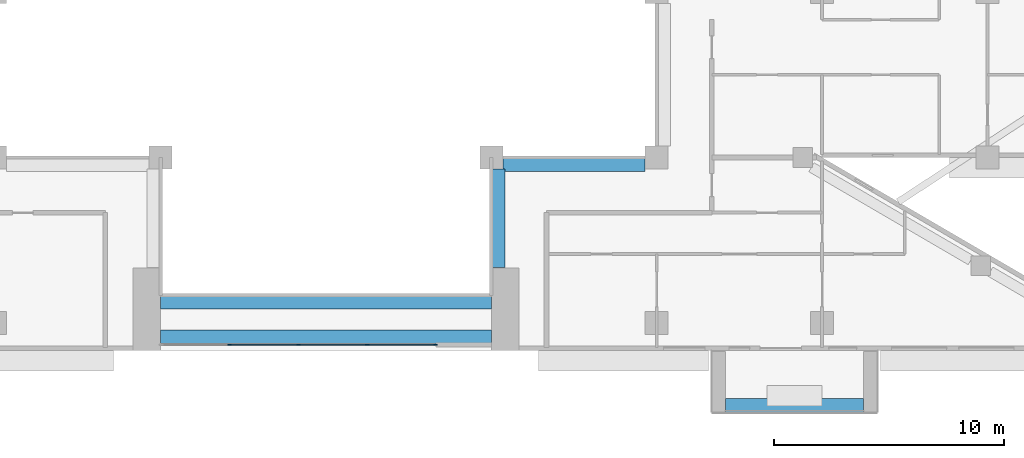
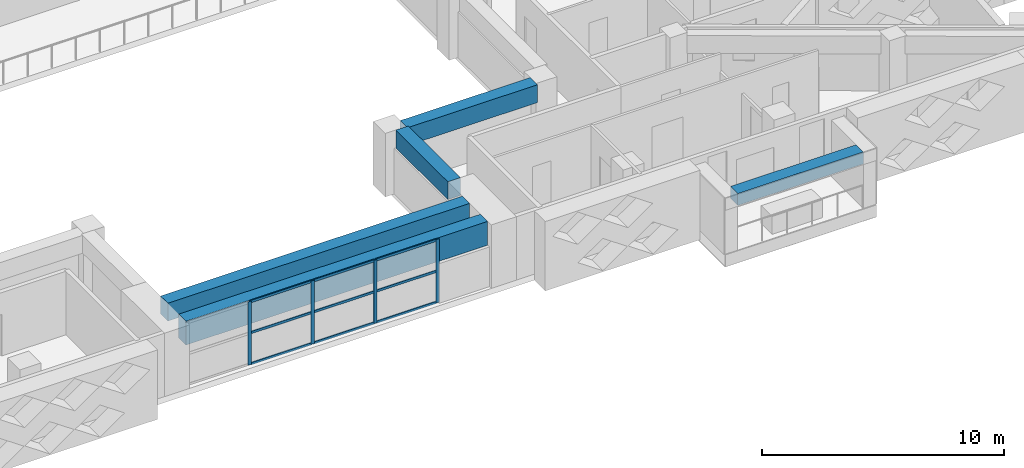
# One storey, part 4 of 20: 13 members, 5 beams, 1 element without a shape of its own.
"""IFC4 building model written with IfcOpenShell, lengths in metres."""

from ifc_helpers import new_model, si_unit, direction, frame, origin, origin_2d, place, context, subcontext, project, spatial, rectangle, extrude, source, transform, mapped, material, layer, layer_set, material_profile, profile_set, type_object, element, aggregate, save


model = new_model("IFC4")

# Units and contexts
model_context = context("Model", 3, precision=1e-05, world=origin(), true_north=direction((0.0, 1.0)))
body_context = subcontext(model_context, "Body", "Model", "MODEL_VIEW")
ifc_project = project(units=[si_unit("LENGTHUNIT", "METRE"), si_unit("AREAUNIT", "SQUARE_METRE"), si_unit("VOLUMEUNIT", "CUBIC_METRE"), si_unit("PLANEANGLEUNIT", "RADIAN"), si_unit("MASSUNIT", "GRAM", prefix="KILO")], contexts=[model_context])

# Site, building, storey
site_placement = place(None, origin())
site = spatial("IfcSite", under=ifc_project, at=site_placement, CompositionType="ELEMENT")
building_placement = place(site_placement, origin())
building = spatial("IfcBuilding", under=site, at=building_placement, Name="Saffron Iwan Residences", CompositionType="ELEMENT")
storey_placement = place(building_placement, frame((0.0, 0.0, 143.0)))
storey = spatial("IfcBuildingStorey", under=building, at=storey_placement, Name="L37", CompositionType="ELEMENT", Elevation=143.0)

# Beams
ifc_material_1 = material(Name="Concrete C50/60", Category="concrete")
ifc_material_profile_1 = material_profile(ifc_material_1, rectangle(XDim=0.60009765625, YDim=1.199951171875, at=origin_2d()), Name="RC 600x1200")
ifc_profile_set_1 = profile_set([ifc_material_profile_1], Name="Concrete C50/60")
beam_type_1 = type_object("IfcBeamType", Name="LINTEL BEAM RC 600x1200 C50/60 TOP 3200", PredefinedType="LINTEL", material=ifc_profile_set_1)
shared_shape_1 = source(origin(), body_context, "Body", "SweptSolid", [
    extrude(rectangle(XDim=0.60009765625, YDim=1.199951171875, at=origin_2d()), origin(), (0.0, 0.0, 1.0), 14.400146484375),
])
beam_1_placement = place(storey_placement, frame((57.60009765625, 40.199951171875, 2.60009765625), z_axis=(-1.0, 0.0, 0.0), x_axis=(0.0, -1.0, 0.0)))
element("IfcBeam", 1, at=beam_1_placement, inside=storey, type_object=beam_type_1, Name="Lintel beam over the iwan", PredefinedType="LINTEL", context=body_context, shape_type="MappedRepresentation", body=[
    mapped(shared_shape_1, transform((0.0, 0.0, 0.0))),
])
ifc_material_profile_2 = material_profile(ifc_material_1, rectangle(XDim=0.60009765625, YDim=0.89990234375, at=origin_2d()), Name="RC 600x900")
ifc_profile_set_2 = profile_set([ifc_material_profile_2], Name="Concrete C50/60")
beam_type_2 = type_object("IfcBeamType", Name="BEAM RC 600x900 C50/60 TOP 3200", PredefinedType="BEAM", material=ifc_profile_set_2)
shared_shape_2 = source(origin(), body_context, "Body", "SweptSolid", [
    extrude(rectangle(XDim=0.60009765625, YDim=0.89990234375, at=origin_2d()), origin(), (0.0, 0.0, 1.0), 14.400146484375),
])
beam_2_placement = place(storey_placement, frame((57.60009765625, 41.699951171875, 2.75), z_axis=(-1.0, 0.0, 0.0), x_axis=(0.0, -1.0, 0.0)))
element("IfcBeam", 2, at=beam_2_placement, inside=storey, type_object=beam_type_2, Name="Atrium edge beam", PredefinedType="BEAM", context=body_context, shape_type="MappedRepresentation", body=[
    mapped(shared_shape_2, transform((0.0, 0.0, 0.0))),
])
shared_shape_3 = source(origin(), body_context, "Body", "SweptSolid", [
    extrude(rectangle(XDim=0.60009765625, YDim=0.89990234375, at=origin_2d()), origin(), (0.0, 0.0, 1.0), 4.300048828125),
])
beam_3_placement = place(storey_placement, frame((57.89990234375, 47.5, 2.75), z_axis=(0.0, -1.0, 0.0), x_axis=(1.0, 0.0, 0.0)))
element("IfcBeam", 3, at=beam_3_placement, inside=storey, type_object=beam_type_2, Name="Atrium edge beam", PredefinedType="BEAM", context=body_context, shape_type="MappedRepresentation", body=[
    mapped(shared_shape_3, transform((0.0, 0.0, 0.0))),
])
shared_shape_4 = source(origin(), body_context, "Body", "SweptSolid", [
    extrude(rectangle(XDim=0.60009765625, YDim=0.89990234375, at=origin_2d()), origin(), (0.0, 0.0, 1.0), 6.199951171875),
])
beam_4_placement = place(storey_placement, frame((64.300048828125, 47.699951171875, 2.75), z_axis=(-1.0, 0.0, 0.0), x_axis=(0.0, -1.0, 0.0)))
element("IfcBeam", 4, at=beam_4_placement, inside=storey, type_object=beam_type_2, Name="Atrium edge beam", PredefinedType="BEAM", context=body_context, shape_type="MappedRepresentation", body=[
    mapped(shared_shape_4, transform((0.0, 0.0, 0.0))),
])

# Curtain wall, members
ifc_material_2 = material(Name="Clear glass, laminated double glazed", Category="glass")
ifc_layer = layer(ifc_material_2, 0.199951171875)
ifc_layer_set = layer_set([ifc_layer], Name="Clear glass, laminated double glazed")
curtain_wall_type = type_object("IfcCurtainWallType", Name="CW-B IWAN PORTAL", PredefinedType="NOTDEFINED", material=ifc_layer_set)
curtain_wall_placement = place(storey_placement, origin())
curtain_wall = element("IfcCurtainWall", 5, at=curtain_wall_placement, inside=storey, type_object=curtain_wall_type, Name="Iwan portal glazing L37.1", PredefinedType="NOTDEFINED")
ifc_material_3 = material(Name="Aluminium 6063-T6", Category="aluminium")
ifc_material_profile_3 = material_profile(ifc_material_3, rectangle(XDim=0.06005859375, YDim=0.1201171875, at=origin_2d()), Name="CW-B TRANSOM 60 x 120")
ifc_profile_set_3 = profile_set([ifc_material_profile_3], Name="Aluminium 6063-T6")
member_type_1 = type_object("IfcMemberType", Name="CW-B TRANSOM 60 x 120", PredefinedType="USERDEFINED", material=ifc_profile_set_3)
shared_shape_5 = source(origin(), body_context, "Body", "SweptSolid", [
    extrude(rectangle(XDim=0.06005859375, YDim=0.1201171875, at=origin_2d()), origin(), (0.0, 0.0, 1.0), 2.909912109375),
])
member_1_placement = place(storey_placement, frame((52.22998046875, 39.85009765625, 0.030029296875), z_axis=(1.0, 0.0, 0.0), x_axis=(0.0, 1.0, 0.0)))
member_1 = element("IfcMember", 6, at=member_1_placement, type_object=member_type_1, Name="CW-B transom 4.1", ObjectType="TRANSOM", PredefinedType="USERDEFINED", context=body_context, shape_type="MappedRepresentation", body=[
    mapped(shared_shape_5, transform((0.0, 0.0, 0.0))),
])
member_2_placement = place(storey_placement, frame((52.22998046875, 39.85009765625, 1.60009765625), z_axis=(1.0, 0.0, 0.0), x_axis=(0.0, 1.0, 0.0)))
member_2 = element("IfcMember", 7, at=member_2_placement, type_object=member_type_1, Name="CW-B transom 4.2", ObjectType="TRANSOM", PredefinedType="USERDEFINED", context=body_context, shape_type="MappedRepresentation", body=[
    mapped(shared_shape_5, transform((0.0, 0.0, 0.0))),
])
member_3_placement = place(storey_placement, frame((52.22998046875, 39.85009765625, 3.169921875), z_axis=(1.0, 0.0, 0.0), x_axis=(0.0, 1.0, 0.0)))
member_3 = element("IfcMember", 8, at=member_3_placement, type_object=member_type_1, Name="CW-B transom 4.3", ObjectType="TRANSOM", PredefinedType="USERDEFINED", context=body_context, shape_type="MappedRepresentation", body=[
    mapped(shared_shape_5, transform((0.0, 0.0, 0.0))),
])
shared_shape_6 = source(origin(), body_context, "Body", "SweptSolid", [
    extrude(rectangle(XDim=0.06005859375, YDim=0.1201171875, at=origin_2d()), origin(), (0.0, 0.0, 1.0), 2.93994140625),
])
member_4_placement = place(storey_placement, frame((46.22998046875, 39.85009765625, 0.030029296875), z_axis=(1.0, 0.0, 0.0), x_axis=(0.0, 1.0, 0.0)))
member_4 = element("IfcMember", 9, at=member_4_placement, type_object=member_type_1, Name="CW-B transom 2.1", ObjectType="TRANSOM", PredefinedType="USERDEFINED", context=body_context, shape_type="MappedRepresentation", body=[
    mapped(shared_shape_6, transform((0.0, 0.0, 0.0))),
])
member_5_placement = place(storey_placement, frame((46.22998046875, 39.85009765625, 1.60009765625), z_axis=(1.0, 0.0, 0.0), x_axis=(0.0, 1.0, 0.0)))
member_5 = element("IfcMember", 10, at=member_5_placement, type_object=member_type_1, Name="CW-B transom 2.2", ObjectType="TRANSOM", PredefinedType="USERDEFINED", context=body_context, shape_type="MappedRepresentation", body=[
    mapped(shared_shape_6, transform((0.0, 0.0, 0.0))),
])
member_6_placement = place(storey_placement, frame((46.22998046875, 39.85009765625, 3.169921875), z_axis=(1.0, 0.0, 0.0), x_axis=(0.0, 1.0, 0.0)))
member_6 = element("IfcMember", 11, at=member_6_placement, type_object=member_type_1, Name="CW-B transom 2.3", ObjectType="TRANSOM", PredefinedType="USERDEFINED", context=body_context, shape_type="MappedRepresentation", body=[
    mapped(shared_shape_6, transform((0.0, 0.0, 0.0))),
])
member_7_placement = place(storey_placement, frame((49.22998046875, 39.85009765625, 0.030029296875), z_axis=(1.0, 0.0, 0.0), x_axis=(0.0, 1.0, 0.0)))
member_7 = element("IfcMember", 12, at=member_7_placement, type_object=member_type_1, Name="CW-B transom 3.1", ObjectType="TRANSOM", PredefinedType="USERDEFINED", context=body_context, shape_type="MappedRepresentation", body=[
    mapped(shared_shape_6, transform((0.0, 0.0, 0.0))),
])
member_8_placement = place(storey_placement, frame((49.22998046875, 39.85009765625, 1.60009765625), z_axis=(1.0, 0.0, 0.0), x_axis=(0.0, 1.0, 0.0)))
member_8 = element("IfcMember", 13, at=member_8_placement, type_object=member_type_1, Name="CW-B transom 3.2", ObjectType="TRANSOM", PredefinedType="USERDEFINED", context=body_context, shape_type="MappedRepresentation", body=[
    mapped(shared_shape_6, transform((0.0, 0.0, 0.0))),
])
member_9_placement = place(storey_placement, frame((49.22998046875, 39.85009765625, 3.169921875), z_axis=(1.0, 0.0, 0.0), x_axis=(0.0, 1.0, 0.0)))
member_9 = element("IfcMember", 14, at=member_9_placement, type_object=member_type_1, Name="CW-B transom 3.3", ObjectType="TRANSOM", PredefinedType="USERDEFINED", context=body_context, shape_type="MappedRepresentation", body=[
    mapped(shared_shape_6, transform((0.0, 0.0, 0.0))),
])

# Beam
ifc_material_4 = material(Name="Concrete C50/60 white painted", Category="concrete")
ifc_material_profile_4 = material_profile(ifc_material_4, rectangle(XDim=0.60009765625, YDim=0.60009765625, at=origin_2d()), Name="BALCONY FASCIA BEAM 600 x 600")
ifc_profile_set_4 = profile_set([ifc_material_profile_4], Name="Concrete C50/60 white painted")
beam_type_3 = type_object("IfcBeamType", Name="BALCONY FASCIA BEAM 600 x 600", PredefinedType="BEAM", material=ifc_profile_set_4)
shared_shape_7 = source(origin(), body_context, "Body", "SweptSolid", [
    extrude(rectangle(XDim=0.60009765625, YDim=0.60009765625, at=origin_2d()), origin(), (0.0, 0.0, 1.0), 6.0),
])
beam_5_placement = place(storey_placement, frame((67.800048828125, 37.199951171875, 2.550048828125), z_axis=(1.0, 0.0, 0.0), x_axis=(0.0, 1.0, 0.0)))
element("IfcBeam", 15, at=beam_5_placement, inside=storey, type_object=beam_type_3, Name="Balcony fascia beam L37 11-1", PredefinedType="BEAM", context=body_context, shape_type="MappedRepresentation", body=[
    mapped(shared_shape_7, transform((0.0, 0.0, 0.0))),
])

# Member
ifc_material_profile_5 = material_profile(ifc_material_3, rectangle(XDim=0.06005859375, YDim=0.159912109375, at=origin_2d()), Name="CW-B MULLION 60 x 160")
ifc_profile_set_5 = profile_set([ifc_material_profile_5], Name="Aluminium 6063-T6")
member_type_2 = type_object("IfcMemberType", Name="CW-B MULLION 60 x 160", PredefinedType="MULLION", material=ifc_profile_set_5)
shared_shape_8 = source(origin(), body_context, "Body", "SweptSolid", [
    extrude(rectangle(XDim=0.06005859375, YDim=0.159912109375, at=origin_2d()), origin(), (0.0, 0.0, 1.0), 3.199951171875),
])
member_10_placement = place(storey_placement, frame((46.199951171875, 39.85009765625, 0.0), z_axis=(0.0, 0.0, 1.0), x_axis=(0.0, 1.0, 0.0)))
member_10 = element("IfcMember", 16, at=member_10_placement, type_object=member_type_2, Name="CW-B mullion 2", PredefinedType="MULLION", context=body_context, shape_type="MappedRepresentation", body=[
    mapped(shared_shape_8, transform((0.0, 0.0, 0.0))),
])

member_11_placement = place(storey_placement, frame((49.199951171875, 39.85009765625, 0.0), z_axis=(0.0, 0.0, 1.0), x_axis=(0.0, 1.0, 0.0)))
member_11 = element("IfcMember", 17, at=member_11_placement, type_object=member_type_2, Name="CW-B mullion 3", PredefinedType="MULLION", context=body_context, shape_type="MappedRepresentation", body=[
    mapped(shared_shape_8, transform((0.0, 0.0, 0.0))),
])

member_12_placement = place(storey_placement, frame((52.199951171875, 39.85009765625, 0.0), z_axis=(0.0, 0.0, 1.0), x_axis=(0.0, 1.0, 0.0)))
member_12 = element("IfcMember", 18, at=member_12_placement, type_object=member_type_2, Name="CW-B mullion 4", PredefinedType="MULLION", context=body_context, shape_type="MappedRepresentation", body=[
    mapped(shared_shape_8, transform((0.0, 0.0, 0.0))),
])

member_13_placement = place(storey_placement, frame((55.169921875, 39.85009765625, 0.0), z_axis=(0.0, 0.0, 1.0), x_axis=(0.0, 1.0, 0.0)))
member_13 = element("IfcMember", 19, at=member_13_placement, type_object=member_type_2, Name="CW-B mullion 5", PredefinedType="MULLION", context=body_context, shape_type="MappedRepresentation", body=[
    mapped(shared_shape_8, transform((0.0, 0.0, 0.0))),
])

aggregate(curtain_wall, [member_10, member_11, member_12, member_13, member_4, member_5, member_6, member_7, member_8, member_9, member_1, member_2, member_3])

save(model, "model.ifc")
